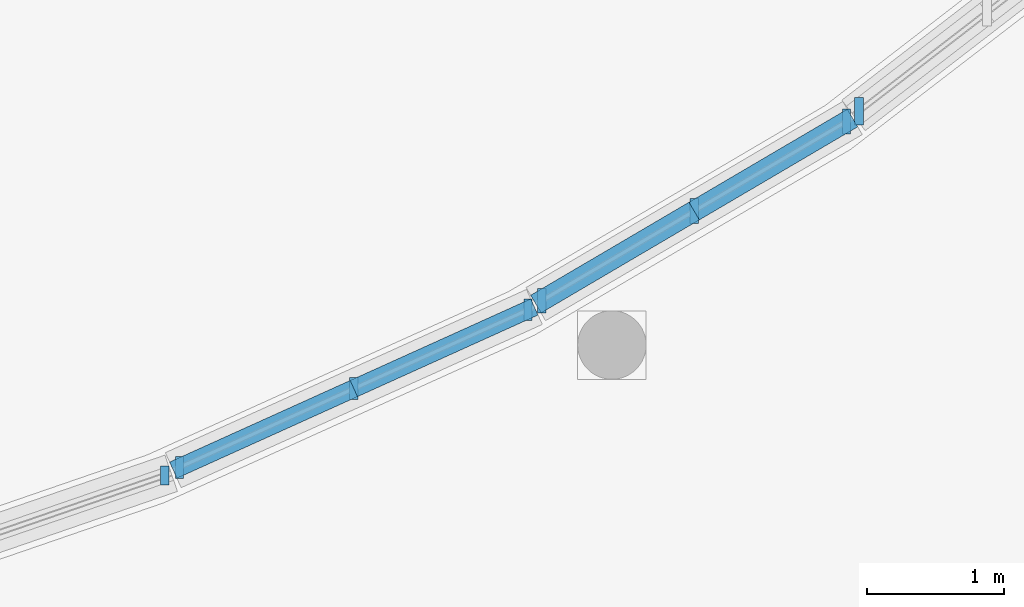
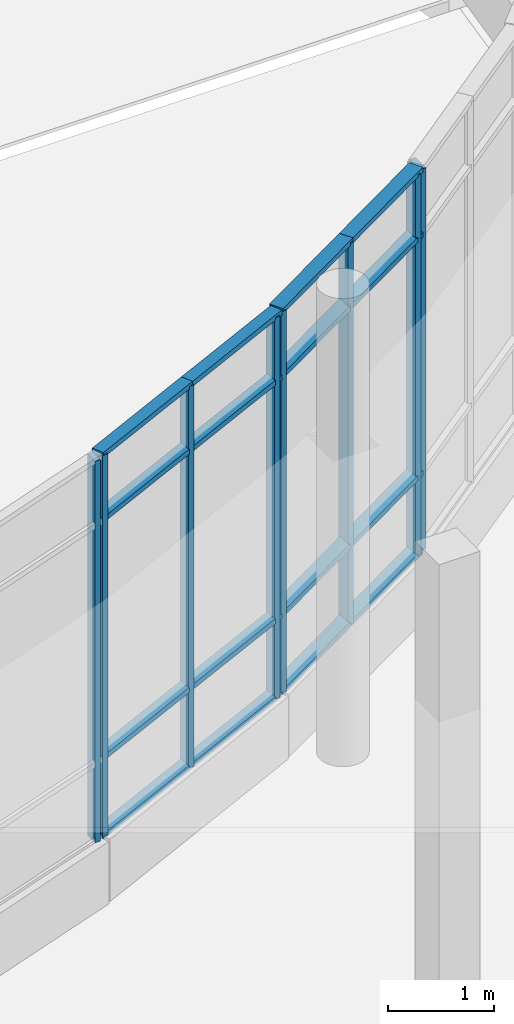
# One storey, part 16 of 84: 24 members, 4 elements without a shape of their own.
"""IFC4 building model written with IfcOpenShell, lengths in metres."""

from ifc_helpers import new_model, si_unit, direction, frame, origin, origin_2d, place, context, subcontext, project, spatial, rectangle, extrude, material, material_profile, profile_set, type_object, element, aggregate, save


model = new_model("IFC4")

# Units and contexts
model_context = context("Model", 3, precision=1e-05, world=origin(), true_north=direction((0.0, 1.0)))
body_context = subcontext(model_context, "Body", "Model", "MODEL_VIEW")
ifc_project = project(units=[si_unit("LENGTHUNIT", "METRE"), si_unit("AREAUNIT", "SQUARE_METRE"), si_unit("VOLUMEUNIT", "CUBIC_METRE"), si_unit("PLANEANGLEUNIT", "RADIAN"), si_unit("MASSUNIT", "GRAM", prefix="KILO")], contexts=[model_context])

# Site, building, storey
site_placement = place(None, origin())
site = spatial("IfcSite", under=ifc_project, at=site_placement, CompositionType="ELEMENT")
building_placement = place(site_placement, origin())
building = spatial("IfcBuilding", under=site, at=building_placement, Name="Mzevani Central Library", CompositionType="ELEMENT")
storey_placement = place(building_placement, origin())
storey = spatial("IfcBuildingStorey", under=building, at=storey_placement, Name="L00", CompositionType="ELEMENT", Elevation=0.0)

# Curtain wall, member
ifc_material_1 = material(Name="Thermally broken aluminium and Low-E triple glazing", Category="aluminium")
curtain_wall_type_1 = type_object("IfcCurtainWallType", Name="Elliptical Court Unitised Curtain Wall", PredefinedType="NOTDEFINED", material=ifc_material_1)
curtain_wall_1_placement = place(storey_placement, origin())
curtain_wall_1 = element("IfcCurtainWall", 1, at=curtain_wall_1_placement, inside=storey, type_object=curtain_wall_type_1, Name="L00 Elliptical Court Curtain Wall 41", PredefinedType="NOTDEFINED")
ifc_material_2 = material(Name="Thermally broken aluminium AW-6060", Category="aluminium")
ifc_material_profile_1 = material_profile(ifc_material_2, rectangle(XDim=0.06005859375, YDim=0.139892578125, at=origin_2d()), Name="ALU M60x140")
ifc_profile_set_1 = profile_set([ifc_material_profile_1], Name="Thermally broken aluminium AW-6060")
member_type_1 = type_object("IfcMemberType", Name="CW Mullion 60x140", PredefinedType="MULLION", material=ifc_profile_set_1)
member_1_placement = place(storey_placement, frame((100.441650390625, 64.891357421875, 0.719970703125), z_axis=(0.0, 0.0, 1.0), x_axis=(1.0, 0.0, 0.0)))
member_1 = element("IfcMember", 2, at=member_1_placement, type_object=member_type_1, Name="L00 Elliptical Court Curtain Wall 41 Mullion 3", PredefinedType="MULLION", context=body_context, shape_type="SweptSolid", body=[
    extrude(rectangle(XDim=0.06005859375, YDim=0.139892578125, at=origin_2d()), origin(), (0.0, 0.0, 1.0), 4.400146484375),
])
aggregate(curtain_wall_1, [member_1])

# Curtain wall, members
curtain_wall_2_placement = place(storey_placement, origin())
curtain_wall_2 = element("IfcCurtainWall", 3, at=curtain_wall_2_placement, inside=storey, type_object=curtain_wall_type_1, Name="L00 Elliptical Court Curtain Wall 42", PredefinedType="NOTDEFINED")
ifc_material_profile_2 = material_profile(ifc_material_2, rectangle(XDim=0.06005859375, YDim=0.159912109375, at=origin_2d()), Name="ALU M60x160")
ifc_profile_set_2 = profile_set([ifc_material_profile_2], Name="Thermally broken aluminium AW-6060")
member_type_2 = type_object("IfcMemberType", Name="CW Mullion 60x160", PredefinedType="MULLION", material=ifc_profile_set_2)
member_2_placement = place(storey_placement, frame((100.550048828125, 64.951171875, 0.719970703125), z_axis=(0.0, 0.0, 1.0), x_axis=(1.0, 0.0, 0.0)))
member_2 = element("IfcMember", 4, at=member_2_placement, type_object=member_type_2, Name="L00 Elliptical Court Curtain Wall 42 Mullion 1", PredefinedType="MULLION", context=body_context, shape_type="SweptSolid", body=[
    extrude(rectangle(XDim=0.06005859375, YDim=0.159912109375, at=origin_2d()), origin(), (0.0, 0.0, 1.0), 4.400146484375),
])
member_3_placement = place(storey_placement, frame((101.822265625, 65.526123046875, 0.719970703125), z_axis=(0.0, 0.0, 1.0), x_axis=(1.0, 0.0, 0.0)))
member_3 = element("IfcMember", 5, at=member_3_placement, type_object=member_type_2, Name="L00 Elliptical Court Curtain Wall 42 Mullion 2", PredefinedType="MULLION", context=body_context, shape_type="SweptSolid", body=[
    extrude(rectangle(XDim=0.06005859375, YDim=0.159912109375, at=origin_2d()), origin(), (0.0, 0.0, 1.0), 4.400146484375),
])
member_4_placement = place(storey_placement, frame((103.094482421875, 66.101318359375, 0.719970703125), z_axis=(0.0, 0.0, 1.0), x_axis=(1.0, 0.0, 0.0)))
member_4 = element("IfcMember", 6, at=member_4_placement, type_object=member_type_2, Name="L00 Elliptical Court Curtain Wall 42 Mullion 3", PredefinedType="MULLION", context=body_context, shape_type="SweptSolid", body=[
    extrude(rectangle(XDim=0.06005859375, YDim=0.159912109375, at=origin_2d()), origin(), (0.0, 0.0, 1.0), 4.400146484375),
])

curtain_wall_type_2 = type_object("IfcCurtainWallType", Name="Reading Hall Northlight Curtain Wall", PredefinedType="NOTDEFINED", material=ifc_material_1)
curtain_wall_3_placement = place(storey_placement, origin())
curtain_wall_3 = element("IfcCurtainWall", 7, at=curtain_wall_3_placement, inside=storey, type_object=curtain_wall_type_2, Name="L00 Elliptical Court Curtain Wall 43", PredefinedType="NOTDEFINED")
ifc_material_profile_3 = material_profile(ifc_material_2, rectangle(XDim=0.06005859375, YDim=0.179931640625, at=origin_2d()), Name="ALU M60x180")
ifc_profile_set_3 = profile_set([ifc_material_profile_3], Name="Thermally broken aluminium AW-6060")
member_type_3 = type_object("IfcMemberType", Name="CW Mullion 60x180", PredefinedType="MULLION", material=ifc_profile_set_3)
member_5_placement = place(storey_placement, frame((103.194091796875, 66.16796875, 0.719970703125), z_axis=(0.0, 0.0, 1.0), x_axis=(1.0, 0.0, 0.0)))
member_5 = element("IfcMember", 8, at=member_5_placement, type_object=member_type_3, Name="L00 Elliptical Court Curtain Wall 43 Mullion 1", PredefinedType="MULLION", context=body_context, shape_type="SweptSolid", body=[
    extrude(rectangle(XDim=0.06005859375, YDim=0.179931640625, at=origin_2d()), origin(), (0.0, 0.0, 1.0), 4.400146484375),
])
member_6_placement = place(storey_placement, frame((104.306640625, 66.82177734375, 0.719970703125), z_axis=(0.0, 0.0, 1.0), x_axis=(1.0, 0.0, 0.0)))
member_6 = element("IfcMember", 9, at=member_6_placement, type_object=member_type_3, Name="L00 Elliptical Court Curtain Wall 43 Mullion 2", PredefinedType="MULLION", context=body_context, shape_type="SweptSolid", body=[
    extrude(rectangle(XDim=0.06005859375, YDim=0.179931640625, at=origin_2d()), origin(), (0.0, 0.0, 1.0), 4.400146484375),
])
member_7_placement = place(storey_placement, frame((105.419189453125, 67.4755859375, 0.719970703125), z_axis=(0.0, 0.0, 1.0), x_axis=(1.0, 0.0, 0.0)))
member_7 = element("IfcMember", 10, at=member_7_placement, type_object=member_type_3, Name="L00 Elliptical Court Curtain Wall 43 Mullion 3", PredefinedType="MULLION", context=body_context, shape_type="SweptSolid", body=[
    extrude(rectangle(XDim=0.06005859375, YDim=0.179931640625, at=origin_2d()), origin(), (0.0, 0.0, 1.0), 4.400146484375),
])

# Curtain wall, member
curtain_wall_4_placement = place(storey_placement, origin())
curtain_wall_4 = element("IfcCurtainWall", 11, at=curtain_wall_4_placement, inside=storey, type_object=curtain_wall_type_1, Name="L00 Elliptical Court Curtain Wall 44", PredefinedType="NOTDEFINED")
ifc_material_profile_4 = material_profile(ifc_material_2, rectangle(XDim=0.06494140625, YDim=0.199951171875, at=origin_2d()), Name="ALU M65x200")
ifc_profile_set_4 = profile_set([ifc_material_profile_4], Name="Thermally broken aluminium AW-6060")
member_type_4 = type_object("IfcMemberType", Name="CW Mullion 65x200", PredefinedType="MULLION", material=ifc_profile_set_4)
member_8_placement = place(storey_placement, frame((105.509521484375, 67.550537109375, 0.719970703125), z_axis=(0.0, 0.0, 1.0), x_axis=(1.0, 0.0, 0.0)))
member_8 = element("IfcMember", 12, at=member_8_placement, type_object=member_type_4, Name="L00 Elliptical Court Curtain Wall 44 Mullion 1", PredefinedType="MULLION", context=body_context, shape_type="SweptSolid", body=[
    extrude(rectangle(XDim=0.06494140625, YDim=0.199951171875, at=origin_2d()), origin(), (0.0, 0.0, 1.0), 4.400146484375),
])
aggregate(curtain_wall_4, [member_8])

# Member
ifc_material_profile_5 = material_profile(ifc_material_2, rectangle(XDim=0.1298828125, YDim=0.06005859375, at=origin_2d()), Name="ALU T60x130")
ifc_profile_set_5 = profile_set([ifc_material_profile_5], Name="Thermally broken aluminium AW-6060")
member_type_5 = type_object("IfcMemberType", Name="CW Transom 60x130", PredefinedType="USERDEFINED", material=ifc_profile_set_5)
member_9_placement = place(storey_placement, frame((100.50439453125, 64.930419921875, 0.719970703125), z_axis=(0.911231648639, 0.411894261333, 0.0), x_axis=(-0.411894261333, 0.911231648639, 0.0)))
member_9 = element("IfcMember", 13, at=member_9_placement, type_object=member_type_5, Name="L00 Elliptical Court Curtain Wall 42 Transom 1", ObjectType="TRANSOM", PredefinedType="USERDEFINED", context=body_context, shape_type="SweptSolid", body=[
    extrude(rectangle(XDim=0.1298828125, YDim=0.06005859375, at=origin_2d()), origin(), (0.0, 0.0, 1.0), 1.4462890625),
])

member_10_placement = place(storey_placement, frame((100.50439453125, 64.930419921875, 1.6201171875), z_axis=(0.911231648639, 0.411894261333, 0.0), x_axis=(-0.411894261333, 0.911231648639, 0.0)))
member_10 = element("IfcMember", 14, at=member_10_placement, type_object=member_type_5, Name="L00 Elliptical Court Curtain Wall 42 Transom 2", ObjectType="TRANSOM", PredefinedType="USERDEFINED", context=body_context, shape_type="SweptSolid", body=[
    extrude(rectangle(XDim=0.1298828125, YDim=0.06005859375, at=origin_2d()), origin(), (0.0, 0.0, 1.0), 1.4462890625),
])

member_11_placement = place(storey_placement, frame((100.50439453125, 64.930419921875, 4.3701171875), z_axis=(0.911231648639, 0.411894261333, 0.0), x_axis=(-0.411894261333, 0.911231648639, 0.0)))
member_11 = element("IfcMember", 15, at=member_11_placement, type_object=member_type_5, Name="L00 Elliptical Court Curtain Wall 42 Transom 3", ObjectType="TRANSOM", PredefinedType="USERDEFINED", context=body_context, shape_type="SweptSolid", body=[
    extrude(rectangle(XDim=0.1298828125, YDim=0.06005859375, at=origin_2d()), origin(), (0.0, 0.0, 1.0), 1.4462890625),
])

member_12_placement = place(storey_placement, frame((100.50439453125, 64.930419921875, 5.1201171875), z_axis=(0.911231648639, 0.411894261333, 0.0), x_axis=(-0.411894261333, 0.911231648639, 0.0)))
member_12 = element("IfcMember", 16, at=member_12_placement, type_object=member_type_5, Name="L00 Elliptical Court Curtain Wall 42 Transom 4", ObjectType="TRANSOM", PredefinedType="USERDEFINED", context=body_context, shape_type="SweptSolid", body=[
    extrude(rectangle(XDim=0.1298828125, YDim=0.06005859375, at=origin_2d()), origin(), (0.0, 0.0, 1.0), 1.4462890625),
])

member_13_placement = place(storey_placement, frame((101.822265625, 65.526123046875, 0.719970703125), z_axis=(0.911231648639, 0.411894261333, 0.0), x_axis=(-0.411894261333, 0.911231648639, 0.0)))
member_13 = element("IfcMember", 17, at=member_13_placement, type_object=member_type_5, Name="L00 Elliptical Court Curtain Wall 42 Transom 5", ObjectType="TRANSOM", PredefinedType="USERDEFINED", context=body_context, shape_type="SweptSolid", body=[
    extrude(rectangle(XDim=0.1298828125, YDim=0.06005859375, at=origin_2d()), origin(), (0.0, 0.0, 1.0), 1.4462890625),
])

member_14_placement = place(storey_placement, frame((101.822265625, 65.526123046875, 1.6201171875), z_axis=(0.911231648639, 0.411894261333, 0.0), x_axis=(-0.411894261333, 0.911231648639, 0.0)))
member_14 = element("IfcMember", 18, at=member_14_placement, type_object=member_type_5, Name="L00 Elliptical Court Curtain Wall 42 Transom 6", ObjectType="TRANSOM", PredefinedType="USERDEFINED", context=body_context, shape_type="SweptSolid", body=[
    extrude(rectangle(XDim=0.1298828125, YDim=0.06005859375, at=origin_2d()), origin(), (0.0, 0.0, 1.0), 1.4462890625),
])

member_15_placement = place(storey_placement, frame((101.822265625, 65.526123046875, 4.3701171875), z_axis=(0.911231648639, 0.411894261333, 0.0), x_axis=(-0.411894261333, 0.911231648639, 0.0)))
member_15 = element("IfcMember", 19, at=member_15_placement, type_object=member_type_5, Name="L00 Elliptical Court Curtain Wall 42 Transom 7", ObjectType="TRANSOM", PredefinedType="USERDEFINED", context=body_context, shape_type="SweptSolid", body=[
    extrude(rectangle(XDim=0.1298828125, YDim=0.06005859375, at=origin_2d()), origin(), (0.0, 0.0, 1.0), 1.4462890625),
])

member_16_placement = place(storey_placement, frame((101.822265625, 65.526123046875, 5.1201171875), z_axis=(0.911231648639, 0.411894261333, 0.0), x_axis=(-0.411894261333, 0.911231648639, 0.0)))
member_16 = element("IfcMember", 20, at=member_16_placement, type_object=member_type_5, Name="L00 Elliptical Court Curtain Wall 42 Transom 8", ObjectType="TRANSOM", PredefinedType="USERDEFINED", context=body_context, shape_type="SweptSolid", body=[
    extrude(rectangle(XDim=0.1298828125, YDim=0.06005859375, at=origin_2d()), origin(), (0.0, 0.0, 1.0), 1.4462890625),
])

aggregate(curtain_wall_2, [member_2, member_3, member_4, member_9, member_10, member_11, member_12, member_13, member_14, member_15, member_16])

ifc_material_profile_6 = material_profile(ifc_material_2, rectangle(XDim=0.14990234375, YDim=0.06005859375, at=origin_2d()), Name="ALU T60x150")
ifc_profile_set_6 = profile_set([ifc_material_profile_6], Name="Thermally broken aluminium AW-6060")
member_type_6 = type_object("IfcMemberType", Name="CW Transom 60x150", PredefinedType="USERDEFINED", material=ifc_profile_set_6)
member_17_placement = place(storey_placement, frame((103.15087890625, 66.142578125, 0.719970703125), z_axis=(0.862149496171, 0.506653970923, 0.0), x_axis=(-0.506653970923, 0.862149496171, 0.0)))
member_17 = element("IfcMember", 21, at=member_17_placement, type_object=member_type_6, Name="L00 Elliptical Court Curtain Wall 43 Transom 1", ObjectType="TRANSOM", PredefinedType="USERDEFINED", context=body_context, shape_type="SweptSolid", body=[
    extrude(rectangle(XDim=0.14990234375, YDim=0.06005859375, at=origin_2d()), origin(), (0.0, 0.0, 1.0), 1.340576171875),
])

member_18_placement = place(storey_placement, frame((103.15087890625, 66.142578125, 1.6201171875), z_axis=(0.862149496171, 0.506653970923, 0.0), x_axis=(-0.506653970923, 0.862149496171, 0.0)))
member_18 = element("IfcMember", 22, at=member_18_placement, type_object=member_type_6, Name="L00 Elliptical Court Curtain Wall 43 Transom 2", ObjectType="TRANSOM", PredefinedType="USERDEFINED", context=body_context, shape_type="SweptSolid", body=[
    extrude(rectangle(XDim=0.14990234375, YDim=0.06005859375, at=origin_2d()), origin(), (0.0, 0.0, 1.0), 1.340576171875),
])

member_19_placement = place(storey_placement, frame((103.15087890625, 66.142578125, 4.3701171875), z_axis=(0.862149496171, 0.506653970923, 0.0), x_axis=(-0.506653970923, 0.862149496171, 0.0)))
member_19 = element("IfcMember", 23, at=member_19_placement, type_object=member_type_6, Name="L00 Elliptical Court Curtain Wall 43 Transom 3", ObjectType="TRANSOM", PredefinedType="USERDEFINED", context=body_context, shape_type="SweptSolid", body=[
    extrude(rectangle(XDim=0.14990234375, YDim=0.06005859375, at=origin_2d()), origin(), (0.0, 0.0, 1.0), 1.340576171875),
])

member_20_placement = place(storey_placement, frame((103.15087890625, 66.142578125, 5.1201171875), z_axis=(0.862149496171, 0.506653970923, 0.0), x_axis=(-0.506653970923, 0.862149496171, 0.0)))
member_20 = element("IfcMember", 24, at=member_20_placement, type_object=member_type_6, Name="L00 Elliptical Court Curtain Wall 43 Transom 4", ObjectType="TRANSOM", PredefinedType="USERDEFINED", context=body_context, shape_type="SweptSolid", body=[
    extrude(rectangle(XDim=0.14990234375, YDim=0.06005859375, at=origin_2d()), origin(), (0.0, 0.0, 1.0), 1.340576171875),
])

member_21_placement = place(storey_placement, frame((104.306640625, 66.82177734375, 0.719970703125), z_axis=(0.862149496171, 0.506653970923, 0.0), x_axis=(-0.506653970923, 0.862149496171, 0.0)))
member_21 = element("IfcMember", 25, at=member_21_placement, type_object=member_type_6, Name="L00 Elliptical Court Curtain Wall 43 Transom 5", ObjectType="TRANSOM", PredefinedType="USERDEFINED", context=body_context, shape_type="SweptSolid", body=[
    extrude(rectangle(XDim=0.14990234375, YDim=0.06005859375, at=origin_2d()), origin(), (0.0, 0.0, 1.0), 1.340576171875),
])

member_22_placement = place(storey_placement, frame((104.306640625, 66.82177734375, 1.6201171875), z_axis=(0.862149496171, 0.506653970923, 0.0), x_axis=(-0.506653970923, 0.862149496171, 0.0)))
member_22 = element("IfcMember", 26, at=member_22_placement, type_object=member_type_6, Name="L00 Elliptical Court Curtain Wall 43 Transom 6", ObjectType="TRANSOM", PredefinedType="USERDEFINED", context=body_context, shape_type="SweptSolid", body=[
    extrude(rectangle(XDim=0.14990234375, YDim=0.06005859375, at=origin_2d()), origin(), (0.0, 0.0, 1.0), 1.340576171875),
])

member_23_placement = place(storey_placement, frame((104.306640625, 66.82177734375, 4.3701171875), z_axis=(0.862149496171, 0.506653970923, 0.0), x_axis=(-0.506653970923, 0.862149496171, 0.0)))
member_23 = element("IfcMember", 27, at=member_23_placement, type_object=member_type_6, Name="L00 Elliptical Court Curtain Wall 43 Transom 7", ObjectType="TRANSOM", PredefinedType="USERDEFINED", context=body_context, shape_type="SweptSolid", body=[
    extrude(rectangle(XDim=0.14990234375, YDim=0.06005859375, at=origin_2d()), origin(), (0.0, 0.0, 1.0), 1.340576171875),
])

member_24_placement = place(storey_placement, frame((104.306640625, 66.82177734375, 5.1201171875), z_axis=(0.862149496171, 0.506653970923, 0.0), x_axis=(-0.506653970923, 0.862149496171, 0.0)))
member_24 = element("IfcMember", 28, at=member_24_placement, type_object=member_type_6, Name="L00 Elliptical Court Curtain Wall 43 Transom 8", ObjectType="TRANSOM", PredefinedType="USERDEFINED", context=body_context, shape_type="SweptSolid", body=[
    extrude(rectangle(XDim=0.14990234375, YDim=0.06005859375, at=origin_2d()), origin(), (0.0, 0.0, 1.0), 1.340576171875),
])

aggregate(curtain_wall_3, [member_5, member_6, member_7, member_17, member_18, member_19, member_20, member_21, member_22, member_23, member_24])

save(model, "model.ifc")
